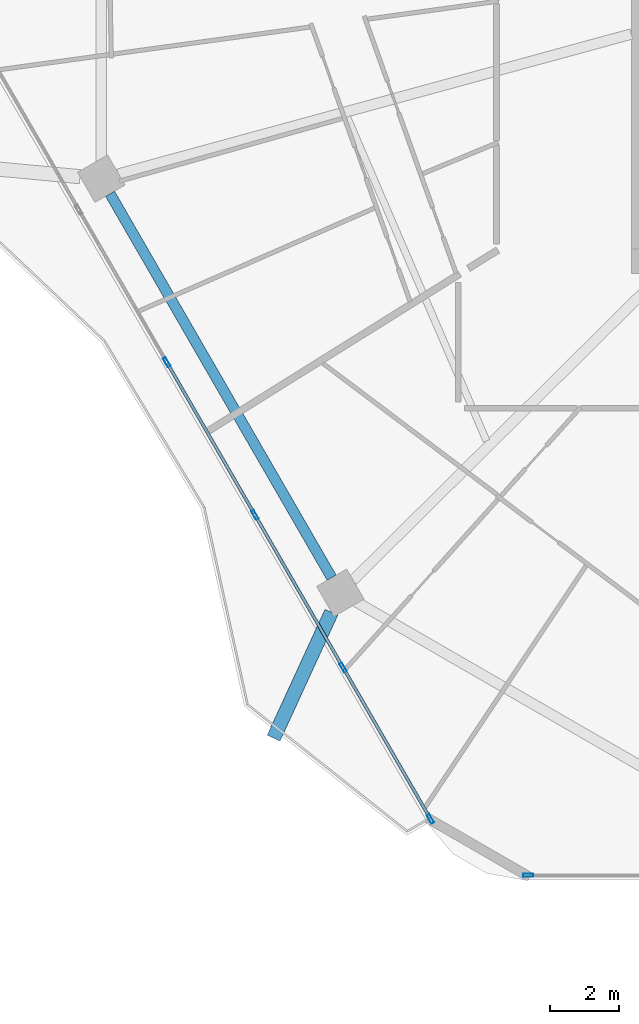
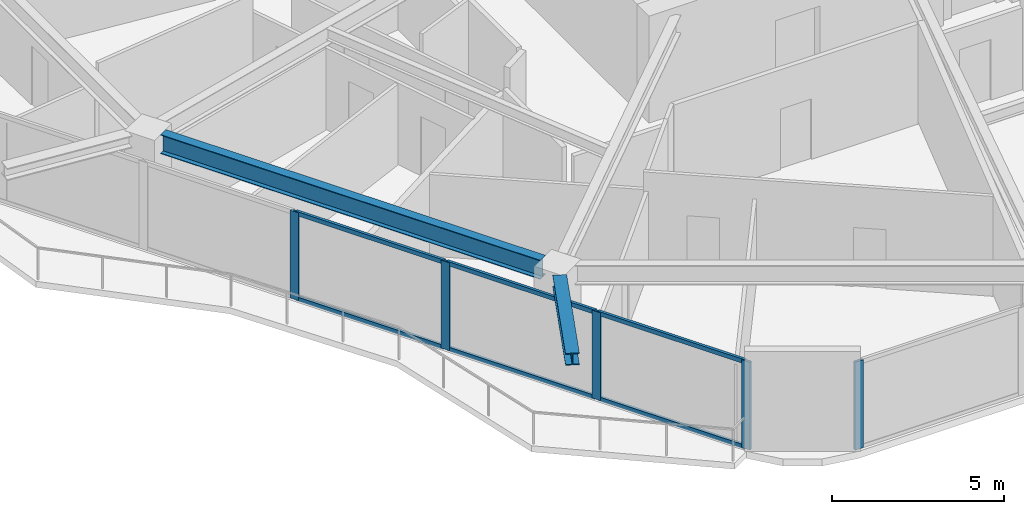
# One storey, part 2 of 26: 11 members, 2 beams, 2 elements without a shape of their own.
"""IFC4 building model written with IfcOpenShell, lengths in metres."""

from ifc_helpers import new_model, si_unit, direction, frame, origin, origin_2d, place, context, subcontext, project, spatial, hollow_rectangle, i_section, extrude, material, material_profile, profile_set, type_object, element, aggregate, save


model = new_model("IFC4")

# Units and contexts
model_context = context("Model", 3, precision=1e-05, world=origin(), true_north=direction((0.0, 1.0)))
body_context = subcontext(model_context, "Body", "Model", "MODEL_VIEW")
ifc_project = project(units=[si_unit("LENGTHUNIT", "METRE"), si_unit("AREAUNIT", "SQUARE_METRE"), si_unit("VOLUMEUNIT", "CUBIC_METRE"), si_unit("PLANEANGLEUNIT", "RADIAN"), si_unit("MASSUNIT", "GRAM", prefix="KILO")], contexts=[model_context])

# Site, building, storey
site_placement = place(None, origin())
site = spatial("IfcSite", under=ifc_project, at=site_placement, CompositionType="ELEMENT")
building_placement = place(site_placement, origin())
building = spatial("IfcBuilding", under=site, at=building_placement, Name="Zuhravey Tower", CompositionType="ELEMENT")
storey_placement = place(building_placement, frame((0.0, 0.0, 158.0)))
storey = spatial("IfcBuildingStorey", under=building, at=storey_placement, Name="L39", CompositionType="ELEMENT", Elevation=158.0)

# Curtain wall, member
ifc_material_1 = material(Name="Thermally broken anodised aluminium", Category="aluminium")
curtain_wall_type = type_object("IfcCurtainWallType", Name="Zone 1-2 Residential Curtain Wall CW3", PredefinedType="NOTDEFINED", material=ifc_material_1)
curtain_wall_1_placement = place(storey_placement, origin())
curtain_wall_1 = element("IfcCurtainWall", 1, at=curtain_wall_1_placement, inside=storey, type_object=curtain_wall_type, Name="L39 CW3 CW-L39-F5-1", PredefinedType="NOTDEFINED")
ifc_material_2 = material(Name="Anodised aluminium", Category="aluminium")
ifc_material_profile_1 = material_profile(ifc_material_2, hollow_rectangle(XDim=0.090087890625, YDim=0.284912109375, WallThickness=0.0048828125, at=origin_2d()), Name="ALU-RHS-90x285x5")
ifc_profile_set_1 = profile_set([ifc_material_profile_1], Name="Anodised aluminium")
member_type_1 = type_object("IfcMemberType", Name="Curtain-Wall Mullion 90x180", PredefinedType="MULLION", material=ifc_profile_set_1)
member_1_placement = place(storey_placement, frame((22.183837890625, 4.81689453125, 0.0), z_axis=(0.0, 0.0, 1.0), x_axis=(0.0, -1.0, 0.0)))
member_1 = element("IfcMember", 2, at=member_1_placement, type_object=member_type_1, Name="CW3 mullion 6", PredefinedType="MULLION", context=body_context, shape_type="SweptSolid", body=[
    extrude(hollow_rectangle(XDim=0.090087890625, YDim=0.284912109375, WallThickness=0.0048828125, at=origin_2d()), origin(), (0.0, 0.0, 1.0), 3.1220703125),
])
aggregate(curtain_wall_1, [member_1])

# Curtain wall, members
curtain_wall_2_placement = place(storey_placement, origin())
curtain_wall_2 = element("IfcCurtainWall", 3, at=curtain_wall_2_placement, inside=storey, type_object=curtain_wall_type, Name="L39 CW3 CW-L39-F4-1", PredefinedType="NOTDEFINED")
member_2_placement = place(storey_placement, frame((19.36669921875, 6.443359375, 0.0), z_axis=(0.0, 0.0, 1.0), x_axis=(-0.866025701852, -0.499999483732, 0.0)))
member_2 = element("IfcMember", 4, at=member_2_placement, type_object=member_type_1, Name="CW3 mullion 1", PredefinedType="MULLION", context=body_context, shape_type="SweptSolid", body=[
    extrude(hollow_rectangle(XDim=0.090087890625, YDim=0.284912109375, WallThickness=0.0048828125, at=origin_2d()), origin(), (0.0, 0.0, 1.0), 3.1220703125),
])
member_3_placement = place(storey_placement, frame((16.85205078125, 10.799072265625, 0.0), z_axis=(0.0, 0.0, 1.0), x_axis=(-0.866025701852, -0.499999483732, 0.0)))
member_3 = element("IfcMember", 5, at=member_3_placement, type_object=member_type_1, Name="CW3 mullion 2", PredefinedType="MULLION", context=body_context, shape_type="SweptSolid", body=[
    extrude(hollow_rectangle(XDim=0.090087890625, YDim=0.284912109375, WallThickness=0.0048828125, at=origin_2d()), origin(), (0.0, 0.0, 1.0), 3.1220703125),
])
member_4_placement = place(storey_placement, frame((14.31494140625, 15.193603515625, 0.0), z_axis=(0.0, 0.0, 1.0), x_axis=(-0.866025701852, -0.499999483732, 0.0)))
member_4 = element("IfcMember", 6, at=member_4_placement, type_object=member_type_1, Name="CW3 mullion 3", PredefinedType="MULLION", context=body_context, shape_type="SweptSolid", body=[
    extrude(hollow_rectangle(XDim=0.090087890625, YDim=0.284912109375, WallThickness=0.0048828125, at=origin_2d()), origin(), (0.0, 0.0, 1.0), 3.1220703125),
])
member_5_placement = place(storey_placement, frame((11.777587890625, 19.588134765625, 0.0), z_axis=(0.0, 0.0, 1.0), x_axis=(-0.866025701852, -0.499999483732, 0.0)))
member_5 = element("IfcMember", 7, at=member_5_placement, type_object=member_type_1, Name="CW3 mullion 4", PredefinedType="MULLION", context=body_context, shape_type="SweptSolid", body=[
    extrude(hollow_rectangle(XDim=0.090087890625, YDim=0.284912109375, WallThickness=0.0048828125, at=origin_2d()), origin(), (0.0, 0.0, 1.0), 3.1220703125),
])
ifc_material_profile_2 = material_profile(ifc_material_2, hollow_rectangle(XDim=0.090087890625, YDim=0.14990234375, WallThickness=0.0048828125, at=origin_2d()), Name="ALU-RHS-90x150x5")
ifc_profile_set_2 = profile_set([ifc_material_profile_2], Name="Anodised aluminium")
member_type_2 = type_object("IfcMemberType", Name="Curtain-Wall Transom 90x150", PredefinedType="USERDEFINED", material=ifc_profile_set_2)
member_6_placement = place(storey_placement, frame((19.34423828125, 6.482421875, 0.044921875), z_axis=(-0.500009116892, 0.866020140081, 0.0), x_axis=(-0.866020140081, -0.500009116892, 0.0)))
member_6 = element("IfcMember", 8, at=member_6_placement, type_object=member_type_2, Name="CW3 transom 1.1", ObjectType="TRANSOM", PredefinedType="USERDEFINED", context=body_context, shape_type="SweptSolid", body=[
    extrude(hollow_rectangle(XDim=0.090087890625, YDim=0.14990234375, WallThickness=0.0048828125, at=origin_2d()), origin(), (0.0, 0.0, 1.0), 4.939453125),
])
member_7_placement = place(storey_placement, frame((19.34423828125, 6.482421875, 3.076904296875), z_axis=(-0.500009116892, 0.866020140081, 0.0), x_axis=(-0.866020140081, -0.500009116892, 0.0)))
member_7 = element("IfcMember", 9, at=member_7_placement, type_object=member_type_2, Name="CW3 transom 1.2", ObjectType="TRANSOM", PredefinedType="USERDEFINED", context=body_context, shape_type="SweptSolid", body=[
    extrude(hollow_rectangle(XDim=0.090087890625, YDim=0.14990234375, WallThickness=0.0048828125, at=origin_2d()), origin(), (0.0, 0.0, 1.0), 4.939453125),
])
member_8_placement = place(storey_placement, frame((16.82958984375, 10.837890625, 0.044921875), z_axis=(-0.499995220348, 0.8660281633, 0.0), x_axis=(-0.8660281633, -0.499995220348, 0.0)))
member_8 = element("IfcMember", 10, at=member_8_placement, type_object=member_type_2, Name="CW3 transom 2.1", ObjectType="TRANSOM", PredefinedType="USERDEFINED", context=body_context, shape_type="SweptSolid", body=[
    extrude(hollow_rectangle(XDim=0.090087890625, YDim=0.14990234375, WallThickness=0.0048828125, at=origin_2d()), origin(), (0.0, 0.0, 1.0), 4.984375),
])
member_9_placement = place(storey_placement, frame((16.82958984375, 10.837890625, 3.076904296875), z_axis=(-0.499995220348, 0.8660281633, 0.0), x_axis=(-0.8660281633, -0.499995220348, 0.0)))
member_9 = element("IfcMember", 11, at=member_9_placement, type_object=member_type_2, Name="CW3 transom 2.2", ObjectType="TRANSOM", PredefinedType="USERDEFINED", context=body_context, shape_type="SweptSolid", body=[
    extrude(hollow_rectangle(XDim=0.090087890625, YDim=0.14990234375, WallThickness=0.0048828125, at=origin_2d()), origin(), (0.0, 0.0, 1.0), 4.984375),
])
member_10_placement = place(storey_placement, frame((14.29248046875, 15.232666015625, 0.044921875), z_axis=(-0.500031954775, 0.866006953901, 0.0), x_axis=(-0.866006953901, -0.500031954775, 0.0)))
member_10 = element("IfcMember", 12, at=member_10_placement, type_object=member_type_2, Name="CW3 transom 3.1", ObjectType="TRANSOM", PredefinedType="USERDEFINED", context=body_context, shape_type="SweptSolid", body=[
    extrude(hollow_rectangle(XDim=0.090087890625, YDim=0.14990234375, WallThickness=0.0048828125, at=origin_2d()), origin(), (0.0, 0.0, 1.0), 4.984619140625),
])
member_11_placement = place(storey_placement, frame((14.29248046875, 15.232666015625, 3.076904296875), z_axis=(-0.500031954775, 0.866006953901, 0.0), x_axis=(-0.866006953901, -0.500031954775, 0.0)))
member_11 = element("IfcMember", 13, at=member_11_placement, type_object=member_type_2, Name="CW3 transom 3.2", ObjectType="TRANSOM", PredefinedType="USERDEFINED", context=body_context, shape_type="SweptSolid", body=[
    extrude(hollow_rectangle(XDim=0.090087890625, YDim=0.14990234375, WallThickness=0.0048828125, at=origin_2d()), origin(), (0.0, 0.0, 1.0), 4.984619140625),
])
aggregate(curtain_wall_2, [member_2, member_3, member_4, member_5, member_6, member_7, member_8, member_9, member_10, member_11])

# Beams
ifc_material_3 = material(Name="Steel SM460", Category="steel")
ifc_material_profile_3 = material_profile(ifc_material_3, i_section(OverallWidth=0.406982421875, OverallDepth=0.427978515625, WebThickness=0.02001953125, FlangeThickness=0.034912109375, at=origin_2d()), Name="H-428x407x20x35")
ifc_profile_set_3 = profile_set([ifc_material_profile_3], Name="Steel SM460")
beam_type_1 = type_object("IfcBeamType", Name="Exoskeleton Node Tie Beam H428x407", PredefinedType="BEAM", material=ifc_profile_set_3)
beam_1_placement = place(storey_placement, frame((16.51708984375, 12.392822265625, 3.3359375), z_axis=(-0.417299408562, -0.90876905956, 0.0), x_axis=(0.90876905956, -0.417299408562, 0.0)))
element("IfcBeam", 14, at=beam_1_placement, inside=storey, type_object=beam_type_1, Name="L39 Exoskeleton Node Tie NT1-08", PredefinedType="BEAM", context=body_context, shape_type="SweptSolid", body=[
    extrude(i_section(OverallWidth=0.406982421875, OverallDepth=0.427978515625, WebThickness=0.02001953125, FlangeThickness=0.034912109375, at=origin_2d()), origin(), (0.0, 0.0, 1.0), 3.989501953125),
])
ifc_material_4 = material(Name="Steel SM355", Category="steel")
ifc_material_profile_4 = material_profile(ifc_material_4, i_section(OverallWidth=0.300048828125, OverallDepth=0.679931640625, WebThickness=0.012939453125, FlangeThickness=0.02197265625, at=origin_2d()), Name="H-680x300x13x22")
ifc_profile_set_4 = profile_set([ifc_material_profile_4], Name="Steel SM355")
beam_type_2 = type_object("IfcBeamType", Name="Perimeter Ring Beam H680x300", PredefinedType="BEAM", material=ifc_profile_set_4)
beam_2_placement = place(storey_placement, frame((10.143798828125, 24.43798828125, 3.2099609375), z_axis=(0.499997974489, -0.866026573211, 0.0), x_axis=(0.866026573211, 0.499997974489, 0.0)))
element("IfcBeam", 15, at=beam_2_placement, inside=storey, type_object=beam_type_2, Name="L39 PB2 BM-L39-PB-07", PredefinedType="BEAM", context=body_context, shape_type="SweptSolid", body=[
    extrude(i_section(OverallWidth=0.300048828125, OverallDepth=0.679931640625, WebThickness=0.012939453125, FlangeThickness=0.02197265625, at=origin_2d()), origin(), (0.0, 0.0, 1.0), 12.75830078125),
])

save(model, "model.ifc")
